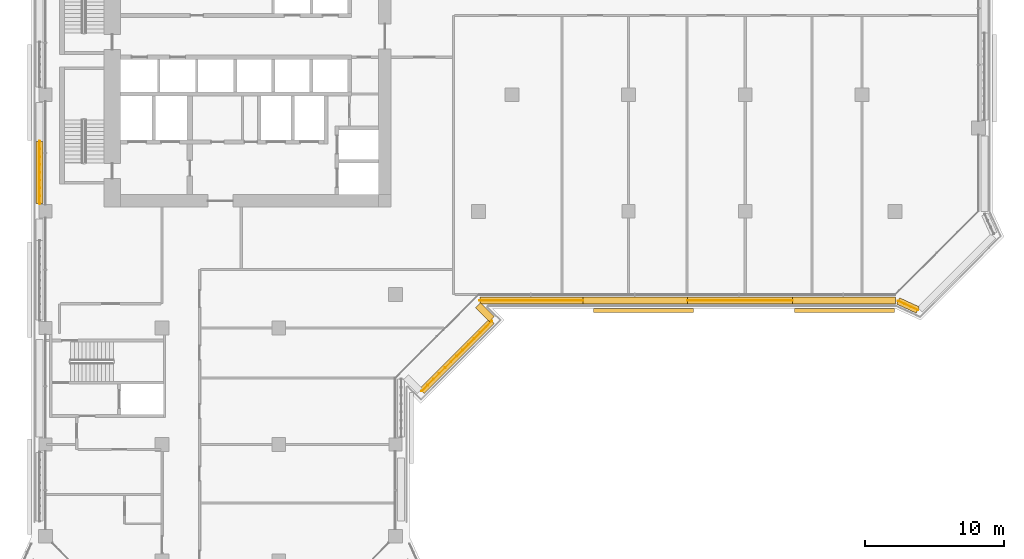
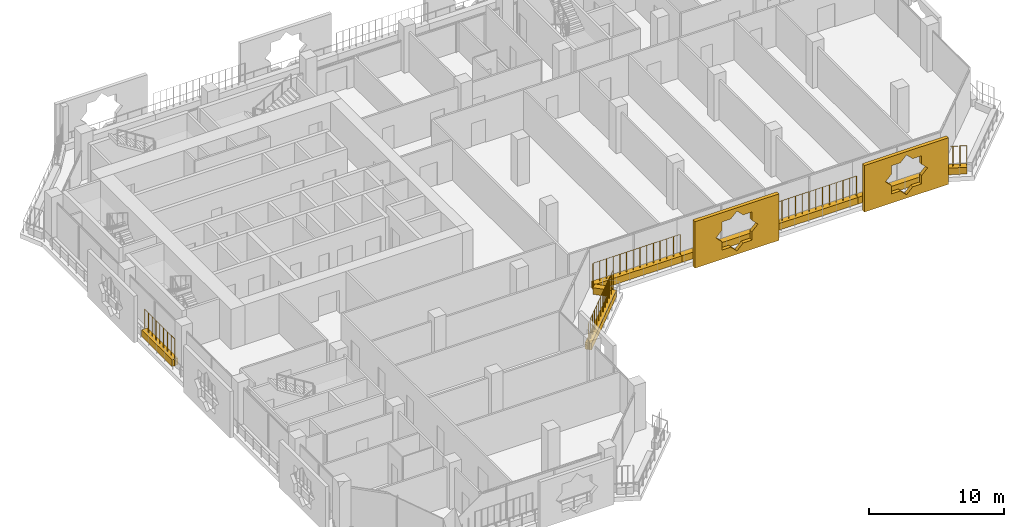
# One storey, part 17 of 22: 10 coverings, 5 railings.
"""IFC4 building model written with IfcOpenShell, lengths in metres."""

import ifcopenshell
import ifcopenshell.guid

model = None  # the IFC model being written
_history = None  # IfcOwnerHistory: only IFC2X3 demands one
_inside = {}  # id of a spatial element -> (the spatial element, [elements in it])
_under = {}  # id of a project, library or spatial element -> (it, [spatial elements below it])
_declared = {}  # id of a project -> (the project, [libraries it declares])
_typed = {}  # id of a type object -> (the type object, [elements of that type])
_made_of = {}  # id of a material, layer set ... -> (it, [elements and type objects made of it])


def new_model(schema):
    """Start an empty IFC model of exactly this schema.

    Asked for "IFC4X3", IfcOpenShell would pick the latest addendum, in which some entities
    have other attributes; the version numbers below select the first issue.
    IFC2X3 requires an IfcOwnerHistory on every rooted entity: one is made here for all.
    """
    global model, _history
    if schema == "IFC4X3":
        model = ifcopenshell.file(schema_version=(4, 3, 0, 0))
    else:
        model = ifcopenshell.file(schema=schema)
    _inside.clear()
    _under.clear()
    _declared.clear()
    _typed.clear()
    _made_of.clear()
    _history = None
    if model.schema == "IFC2X3":
        org = make("IfcOrganization", Name="unknown")
        user = make(
            "IfcPersonAndOrganization",
            ThePerson=make("IfcPerson", FamilyName="unknown"),
            TheOrganization=org,
        )
        app = make(
            "IfcApplication",
            ApplicationDeveloper=org,
            Version="unknown",
            ApplicationFullName="unknown",
            ApplicationIdentifier="unknown",
        )
        _history = make(
            "IfcOwnerHistory",
            OwningUser=user,
            OwningApplication=app,
            ChangeAction="ADDED",
            CreationDate=0,
        )
    return model


def make(cls, **values):
    """One entity of the class cls with the attributes given. An attribute that is None is left unset."""
    return model.create_entity(
        cls, **{name: value for name, value in values.items() if value is not None}
    )


def rooted(cls, **values):
    """An entity with a GlobalId (a new one), such as an element, a storey or a relation."""
    return make(cls, GlobalId=ifcopenshell.guid.new(), OwnerHistory=_history, **values)


def si_unit(unit_type, name, prefix=None):
    """IfcSIUnit, for example si_unit("LENGTHUNIT", "METRE", prefix="MILLI")."""
    return make("IfcSIUnit", UnitType=unit_type, Prefix=prefix, Name=name)


def assignment(units):
    """IfcUnitAssignment: the units of a project."""
    return None if units is None else make("IfcUnitAssignment", Units=units)


def point(xyz):
    """IfcCartesianPoint."""
    return None if xyz is None else make("IfcCartesianPoint", Coordinates=xyz)


def direction(xyz):
    """IfcDirection."""
    return None if xyz is None else make("IfcDirection", DirectionRatios=xyz)


def frame(location, z_axis=None, x_axis=None):
    """IfcAxis2Placement3D, a coordinate frame: its origin and axes. An axis left out is left unset."""
    return make(
        "IfcAxis2Placement3D",
        Location=point(location),
        Axis=direction(z_axis),
        RefDirection=direction(x_axis),
    )


def frame_2d(location, x_axis=None):
    """IfcAxis2Placement2D, a coordinate frame in the plane: its origin and x axis."""
    return make(
        "IfcAxis2Placement2D", Location=point(location), RefDirection=direction(x_axis)
    )


def origin():
    """The frame at (0, 0, 0) with its axes left unset."""
    return frame((0.0, 0.0, 0.0))


def origin_2d():
    """The frame at (0, 0) in the plane with its x axis left unset."""
    return frame_2d((0.0, 0.0))


def place(relative_to, where):
    """IfcLocalPlacement: puts the frame where relative to a parent placement (None: the world)."""
    return make(
        "IfcLocalPlacement", PlacementRelTo=relative_to, RelativePlacement=where
    )


def context(
    kind, dimensions, precision=None, world=None, true_north=None, identifier=None
):
    """IfcGeometricRepresentationContext, for example the 3D "Model" context."""
    return make(
        "IfcGeometricRepresentationContext",
        ContextIdentifier=identifier,
        ContextType=kind,
        CoordinateSpaceDimension=dimensions,
        Precision=precision,
        WorldCoordinateSystem=world,
        TrueNorth=true_north,
    )


def subcontext(parent, identifier, kind, view, scale=None):
    """IfcGeometricRepresentationSubContext, for example "Body" below "Model"."""
    return make(
        "IfcGeometricRepresentationSubContext",
        ContextIdentifier=identifier,
        ContextType=kind,
        ParentContext=parent,
        TargetScale=scale,
        TargetView=view,
    )


def project(units=None, contexts=None):
    """IfcProject with its units and contexts."""
    return rooted(
        "IfcProject",
        Name="project",
        RepresentationContexts=contexts,
        UnitsInContext=assignment(units),
    )


def spatial(cls, under=None, at=None, **own):
    """A site, building, storey or space (cls), placed at a placement, below another one or the project."""
    s = rooted(cls, ObjectPlacement=at, **own)
    if under is not None:
        _under.setdefault(under.id(), (under, []))[1].append(s)
    return s


def polyline(points):
    """IfcPolyline through the points."""
    return make("IfcPolyline", Points=[point(p) for p in points])


def profile(cls, at=None, kind="AREA", **sizes):
    """A parametric profile (cls). Its sizes go by their IFC names, for example OverallWidth=200.0."""
    return make(cls, ProfileType=kind, Position=at, **sizes)


def rectangle(**sizes):
    """IfcRectangleProfileDef."""
    return profile("IfcRectangleProfileDef", **sizes)


def circle(**sizes):
    """IfcCircleProfileDef."""
    return profile("IfcCircleProfileDef", **sizes)


def outline(outer, holes=None, kind="AREA"):
    """IfcArbitraryClosedProfileDef: a profile drawn as a closed curve; with holes, ...WithVoids."""
    if holes is None:
        return make("IfcArbitraryClosedProfileDef", ProfileType=kind, OuterCurve=outer)
    return make(
        "IfcArbitraryProfileDefWithVoids",
        ProfileType=kind,
        OuterCurve=outer,
        InnerCurves=holes,
    )


def extrude(swept, where, along, depth):
    """IfcExtrudedAreaSolid: the profile swept, set in the frame where, extruded along a direction by depth."""
    return make(
        "IfcExtrudedAreaSolid",
        SweptArea=swept,
        Position=where,
        ExtrudedDirection=direction(along),
        Depth=depth,
    )


def shape(context_of_items, identifier, shape_type, items):
    """IfcShapeRepresentation: the items that make up one representation, for example the "Body"."""
    return make(
        "IfcShapeRepresentation",
        ContextOfItems=context_of_items,
        RepresentationIdentifier=identifier,
        RepresentationType=shape_type,
        Items=items,
    )


def material(Name=None, Category=None):
    """IfcMaterial."""
    return make("IfcMaterial", Name=Name, Category=Category)


def material_profile(
    of_material, cross_section, Name=None, Category=None, Priority=None
):
    """IfcMaterialProfile: a cross section and its material."""
    return make(
        "IfcMaterialProfile",
        Name=Name,
        Material=of_material,
        Profile=cross_section,
        Priority=Priority,
        Category=Category,
    )


def profile_set(profiles, Name=None, composite=None):
    """IfcMaterialProfileSet."""
    return make(
        "IfcMaterialProfileSet",
        Name=Name,
        MaterialProfiles=profiles,
        CompositeProfile=composite,
    )


def made_of(thing, what):
    """Note that an element or type object is made of a material, layer set ...; save() writes the relation."""
    if what is not None:
        _made_of.setdefault(what.id(), (what, []))[1].append(thing)
    return thing


def type_object(cls, material=None, **own):
    """A type object (cls), such as IfcWallType, which elements share."""
    return made_of(rooted(cls, **own), material)


def element(
    cls,
    number,
    at=None,
    inside=None,
    cuts=None,
    type_object=None,
    material=None,
    context=None,
    identifier="Body",
    shape_type=None,
    held_by="IfcProductDefinitionShape",
    body=None,
    shapes=None,
    **own,
):
    """One element of the class cls, such as IfcWall. Its Tag is "e" and its number.

    at: its placement. inside: the storey or other place that contains it. cuts: it is an
    opening in that element (IfcRelVoidsElement). A single representation is given by context,
    identifier, shape_type and body (its items); several are given by shapes. held_by: the class
    of the entity that holds the representations. save() writes the other relations.
    """
    e = rooted(cls, Tag="e%d" % number, ObjectPlacement=at, **own)
    if body is not None:
        shapes = [shape(context, identifier, shape_type, body)]
    if shapes is not None:
        e.Representation = make(held_by, Representations=shapes)
    if inside is not None:
        _inside.setdefault(inside.id(), (inside, []))[1].append(e)
    if cuts is not None:
        rooted(
            "IfcRelVoidsElement", RelatingBuildingElement=cuts, RelatedOpeningElement=e
        )
    if type_object is not None:
        _typed.setdefault(type_object.id(), (type_object, []))[1].append(e)
    return made_of(e, material)


def aggregate(whole, parts):
    """IfcRelAggregates: a whole, such as a stair, and the parts it consists of."""
    return rooted("IfcRelAggregates", RelatingObject=whole, RelatedObjects=parts)


def save(model, path):
    """Write the relations noted so far, then the file.

    IfcRelAggregates (storeys below a building ...), IfcRelContainedInSpatialStructure (elements
    in a storey), IfcRelDefinesByType, IfcRelAssociatesMaterial and IfcRelDeclares: one each for
    every whole, place, type object, material and project.
    """
    for whole, parts in _under.values():
        aggregate(whole, parts)
    for where, things in _inside.values():
        rooted(
            "IfcRelContainedInSpatialStructure",
            RelatedElements=things,
            RelatingStructure=where,
        )
    for kind, things in _typed.values():
        rooted("IfcRelDefinesByType", RelatedObjects=things, RelatingType=kind)
    for what, things in _made_of.values():
        rooted("IfcRelAssociatesMaterial", RelatedObjects=things, RelatingMaterial=what)
    for by, libraries in _declared.values():
        rooted("IfcRelDeclares", RelatingContext=by, RelatedDefinitions=libraries)
    model.write(path)


model = new_model("IFC4")

# Units and contexts
model_context = context("Model", 3, precision=1e-05, world=origin(), true_north=direction((0.0, 1.0)))
body_context = subcontext(model_context, "Body", "Model", "MODEL_VIEW")
ifc_project = project(units=[si_unit("LENGTHUNIT", "METRE"), si_unit("AREAUNIT", "SQUARE_METRE"), si_unit("VOLUMEUNIT", "CUBIC_METRE"), si_unit("PLANEANGLEUNIT", "RADIAN"), si_unit("MASSUNIT", "GRAM", prefix="KILO")], contexts=[model_context])

# Site, building, storey
site_placement = place(None, origin())
site = spatial("IfcSite", under=ifc_project, at=site_placement, CompositionType="ELEMENT")
building_placement = place(site_placement, origin())
building = spatial("IfcBuilding", under=site, at=building_placement, Name="Kawkab Arch Medical Tower", CompositionType="ELEMENT")
storey_placement = place(building_placement, frame((0.0, 0.0, 179.39990234375)))
storey = spatial("IfcBuildingStorey", under=building, at=storey_placement, Name="L41", CompositionType="ELEMENT", Elevation=179.39990234375)

# Coverings
ifc_material_1 = material(Name="Bronze anodised aluminium mashrabiya panel, eight-point star pattern", Category="aluminium")
ifc_material_profile_1 = material_profile(ifc_material_1, outline(polyline([(-3.60009765625, -2.10009765625), (3.60009765625, -2.10009765625), (3.60009765625, 2.10009765625), (-3.60009765625, 2.10009765625), (-3.60009765625, -2.10009765625)]), holes=[polyline([(1.800048828125, 0.0), (1.272705078125, 0.527099609375), (1.272705078125, 1.272705078125), (0.527099609375, 1.272705078125), (0.0, 1.800048828125), (-0.527099609375, 1.272705078125), (-1.272705078125, 1.272705078125), (-1.272705078125, 0.527099609375), (-1.800048828125, 0.0), (-1.272705078125, -0.527099609375), (-1.272705078125, -1.272705078125), (-0.527099609375, -1.272705078125), (0.0, -1.800048828125), (0.527099609375, -1.272705078125), (1.272705078125, -1.272705078125), (1.272705078125, -0.527099609375), (1.800048828125, 0.0)])]), Name="Mashrabiya panel 7200x4200")
ifc_profile_set_1 = profile_set([ifc_material_profile_1], Name="Bronze anodised aluminium mashrabiya panel, eight-point star pattern")
covering_type_1 = type_object("IfcCoveringType", Name="Mashrabiya panel 7200 x 4200", PredefinedType="USERDEFINED", material=ifc_profile_set_1)
for number, where, z_axis, x_axis, name in (
    (1, (57.5546875, -32.199951171875, 1.7001953125), (0.0, -1.0, 0.0), (1.0, 0.0, 0.0), "Mashrabiya panel L41.LOG-01-01.10"),
    (2, (43.06494140625, -32.199951171875, 1.7001953125), (0.0, -1.0, 0.0), (1.0, 0.0, 0.0), "Mashrabiya panel L41.LOG-01-01.11"),
):
    element("IfcCovering", number, at=place(storey_placement, frame(where, z_axis=z_axis, x_axis=x_axis)), inside=storey, type_object=covering_type_1, Name=name, ObjectType="SCREEN", PredefinedType="USERDEFINED", context=body_context, shape_type="SweptSolid", body=[
        extrude(outline(polyline([(-3.60009765625, -2.10009765625), (3.60009765625, -2.10009765625), (3.60009765625, 2.10009765625), (-3.60009765625, 2.10009765625), (-3.60009765625, -2.10009765625)]), holes=[polyline([(1.800048828125, 0.0), (1.272705078125, 0.527099609375), (1.272705078125, 1.272705078125), (0.527099609375, 1.272705078125), (0.0, 1.800048828125), (-0.527099609375, 1.272705078125), (-1.272705078125, 1.272705078125), (-1.272705078125, 0.527099609375), (-1.800048828125, 0.0), (-1.272705078125, -0.527099609375), (-1.272705078125, -1.272705078125), (-0.527099609375, -1.272705078125), (0.0, -1.800048828125), (0.527099609375, -1.272705078125), (1.272705078125, -1.272705078125), (1.272705078125, -0.527099609375), (1.800048828125, 0.0)])]), origin(), (0.0, 0.0, 1.0), 0.300048828125),
    ])
ifc_material_2 = material(Name="Planting soil in a precast trough", Category="concrete")
ifc_material_profile_2 = material_profile(ifc_material_2, rectangle(XDim=0.5, YDim=0.60009765625, at=origin_2d()), Name="Trough 500x600")
ifc_profile_set_2 = profile_set([ifc_material_profile_2], Name="Planting soil in a precast trough")
covering_type_2 = type_object("IfcCoveringType", Name="Planter trough 500 x 600", PredefinedType="USERDEFINED", material=ifc_profile_set_2)
covering_1_placement = place(storey_placement, frame((-0.419921875, -24.64501953125, 0.300048828125), z_axis=(0.0, 1.0, 0.0), x_axis=(-1.0, 0.0, 0.0)))
element("IfcCovering", 3, at=covering_1_placement, inside=storey, type_object=covering_type_2, Name="Planter L41.LOG-01-01.11", ObjectType="PLANTER", PredefinedType="USERDEFINED", context=body_context, shape_type="SweptSolid", body=[
    extrude(rectangle(XDim=0.5, YDim=0.60009765625, at=origin_2d()), origin(), (0.0, 0.0, 1.0), 4.487060546875),
])
covering_2_placement = place(storey_placement, frame((62.821044921875, -32.302001953125, 0.300048828125), z_axis=(-0.909655525109, 0.415363486165, 0.0), x_axis=(-0.415363486165, -0.909655525109, 0.0)))
element("IfcCovering", 4, at=covering_2_placement, inside=storey, type_object=covering_type_2, Name="Planter L41.LOG-01-01.33", ObjectType="PLANTER", PredefinedType="USERDEFINED", context=body_context, shape_type="SweptSolid", body=[
    extrude(rectangle(XDim=0.5, YDim=0.60009765625, at=origin_2d()), origin(), (0.0, 0.0, 1.0), 1.54345703125),
])
covering_3_placement = place(storey_placement, frame((61.22607421875, -31.6201171875, 0.300048828125), z_axis=(-1.0, 0.0, 0.0), x_axis=(0.0, -1.0, 0.0)))
element("IfcCovering", 5, at=covering_3_placement, inside=storey, type_object=covering_type_2, Name="Planter L41.LOG-01-01.34", ObjectType="PLANTER", PredefinedType="USERDEFINED", context=body_context, shape_type="SweptSolid", body=[
    extrude(rectangle(XDim=0.5, YDim=0.60009765625, at=origin_2d()), origin(), (0.0, 0.0, 1.0), 7.43505859375),
])
covering_4_placement = place(storey_placement, frame((53.791015625, -31.6201171875, 0.300048828125), z_axis=(-1.0, 0.0, 0.0), x_axis=(0.0, -1.0, 0.0)))
element("IfcCovering", 6, at=covering_4_placement, inside=storey, type_object=covering_type_2, Name="Planter L41.LOG-01-01.35", ObjectType="PLANTER", PredefinedType="USERDEFINED", context=body_context, shape_type="SweptSolid", body=[
    extrude(rectangle(XDim=0.5, YDim=0.60009765625, at=origin_2d()), origin(), (0.0, 0.0, 1.0), 7.5361328125),
])
covering_5_placement = place(storey_placement, frame((46.2548828125, -31.6201171875, 0.300048828125), z_axis=(-1.0, 0.0, 0.0), x_axis=(0.0, -1.0, 0.0)))
element("IfcCovering", 7, at=covering_5_placement, inside=storey, type_object=covering_type_2, Name="Planter L41.LOG-01-01.36", ObjectType="PLANTER", PredefinedType="USERDEFINED", context=body_context, shape_type="SweptSolid", body=[
    extrude(rectangle(XDim=0.5, YDim=0.60009765625, at=origin_2d()), origin(), (0.0, 0.0, 1.0), 7.534912109375),
])
covering_6_placement = place(storey_placement, frame((38.719970703125, -31.6201171875, 0.300048828125), z_axis=(-1.0, 0.0, 0.0), x_axis=(0.0, -1.0, 0.0)))
element("IfcCovering", 8, at=covering_6_placement, inside=storey, type_object=covering_type_2, Name="Planter L41.LOG-01-01.37", ObjectType="PLANTER", PredefinedType="USERDEFINED", context=body_context, shape_type="SweptSolid", body=[
    extrude(rectangle(XDim=0.5, YDim=0.60009765625, at=origin_2d()), origin(), (0.0, 0.0, 1.0), 7.43505859375),
])
covering_7_placement = place(storey_placement, frame((31.14306640625, -31.962890625, 0.300048828125), z_axis=(0.707020805532, -0.707192746389, 0.0), x_axis=(0.707192746389, 0.707020805532, 0.0)))
element("IfcCovering", 9, at=covering_7_placement, inside=storey, type_object=covering_type_2, Name="Planter L41.LOG-01-01.38", ObjectType="PLANTER", PredefinedType="USERDEFINED", context=body_context, shape_type="SweptSolid", body=[
    extrude(rectangle(XDim=0.5, YDim=0.60009765625, at=origin_2d()), origin(), (0.0, 0.0, 1.0), 1.419921875),
])
covering_8_placement = place(storey_placement, frame((32.14697265625, -33.10888671875, 0.300048828125), z_axis=(-0.707106781187, -0.707106781187, 0.0), x_axis=(0.707106781187, -0.707106781187, 0.0)))
element("IfcCovering", 10, at=covering_8_placement, inside=storey, type_object=covering_type_2, Name="Planter L41.LOG-01-01.39", ObjectType="PLANTER", PredefinedType="USERDEFINED", context=body_context, shape_type="SweptSolid", body=[
    extrude(rectangle(XDim=0.5, YDim=0.60009765625, at=origin_2d()), origin(), (0.0, 0.0, 1.0), 7.125),
])

# Railings
ifc_material_3 = material(Name="Bronze anodised aluminium trellis for climbing plants", Category="aluminium")
railing_type = type_object("IfcRailingType", Name="Planting trellis 2400", PredefinedType="USERDEFINED", material=ifc_material_3)
railing_1_placement = place(storey_placement, frame((-0.419921875, -24.64501953125, 0.0)))
element("IfcRailing", 11, at=railing_1_placement, inside=storey, type_object=railing_type, Name="Planting trellis L41.LOG-01-01.11", ObjectType="TRELLIS", PredefinedType="USERDEFINED", context=body_context, shape_type="SweptSolid", body=[
    extrude(circle(Radius=0.01513671875, at=origin_2d()), frame((0.0, 0.0, 2.384765625), z_axis=(0.0, 1.0, 0.0), x_axis=(-1.0, 0.0, 0.0)), (0.0, 0.0, 1.0), 4.487060546875),
    extrude(circle(Radius=0.030029296875, at=origin_2d()), origin(), (0.0, 0.0, 1.0), 2.369873046875),
    extrude(circle(Radius=0.030029296875, at=origin_2d()), frame((0.0, 0.560791015625, 0.0)), (0.0, 0.0, 1.0), 2.369873046875),
    extrude(circle(Radius=0.030029296875, at=origin_2d()), frame((0.0, 1.121826171875, 0.0)), (0.0, 0.0, 1.0), 2.369873046875),
    extrude(circle(Radius=0.030029296875, at=origin_2d()), frame((0.0, 1.6826171875, 0.0)), (0.0, 0.0, 1.0), 2.369873046875),
    extrude(circle(Radius=0.030029296875, at=origin_2d()), frame((0.0, 2.24365234375, 0.0)), (0.0, 0.0, 1.0), 2.369873046875),
    extrude(circle(Radius=0.030029296875, at=origin_2d()), frame((0.0, 2.804443359375, 0.0)), (0.0, 0.0, 1.0), 2.369873046875),
    extrude(circle(Radius=0.030029296875, at=origin_2d()), frame((0.0, 3.365234375, 0.0)), (0.0, 0.0, 1.0), 2.369873046875),
    extrude(circle(Radius=0.030029296875, at=origin_2d()), frame((0.0, 3.92626953125, 0.0)), (0.0, 0.0, 1.0), 2.369873046875),
    extrude(circle(Radius=0.030029296875, at=origin_2d()), frame((0.0, 4.487060546875, 0.0)), (0.0, 0.0, 1.0), 2.369873046875),
])
railing_2_placement = place(storey_placement, frame((62.821044921875, -32.302001953125, 0.0)))
element("IfcRailing", 12, at=railing_2_placement, inside=storey, type_object=railing_type, Name="Planting trellis L41.LOG-01-01.33", ObjectType="TRELLIS", PredefinedType="USERDEFINED", context=body_context, shape_type="SweptSolid", body=[
    extrude(circle(Radius=0.01513671875, at=origin_2d()), frame((0.0, 0.0, 2.384765625), z_axis=(-0.909655525109, 0.415363486165, 0.0), x_axis=(-0.415363486165, -0.909655525109, 0.0)), (0.0, 0.0, 1.0), 1.54345703125),
    extrude(circle(Radius=0.030029296875, at=origin_2d()), origin(), (0.0, 0.0, 1.0), 2.369873046875),
    extrude(circle(Radius=0.030029296875, at=origin_2d()), frame((-0.468017578125, 0.213623046875, 0.0)), (0.0, 0.0, 1.0), 2.369873046875),
    extrude(circle(Radius=0.030029296875, at=origin_2d()), frame((-0.93603515625, 0.427490234375, 0.0)), (0.0, 0.0, 1.0), 2.369873046875),
    extrude(circle(Radius=0.030029296875, at=origin_2d()), frame((-1.404052734375, 0.64111328125, 0.0)), (0.0, 0.0, 1.0), 2.369873046875),
])
railing_3_placement = place(storey_placement, frame((53.791015625, -31.6201171875, 0.0)))
element("IfcRailing", 13, at=railing_3_placement, inside=storey, type_object=railing_type, Name="Planting trellis L41.LOG-01-01.35", ObjectType="TRELLIS", PredefinedType="USERDEFINED", context=body_context, shape_type="SweptSolid", body=[
    extrude(circle(Radius=0.01513671875, at=origin_2d()), frame((0.0, 0.0, 2.384765625), z_axis=(-1.0, 0.0, 0.0), x_axis=(0.0, -1.0, 0.0)), (0.0, 0.0, 1.0), 7.5361328125),
    extrude(circle(Radius=0.030029296875, at=origin_2d()), origin(), (0.0, 0.0, 1.0), 2.369873046875),
    extrude(circle(Radius=0.030029296875, at=origin_2d()), frame((-0.57958984375, 0.0, 0.0)), (0.0, 0.0, 1.0), 2.369873046875),
    extrude(circle(Radius=0.030029296875, at=origin_2d()), frame((-1.159423828125, 0.0, 0.0)), (0.0, 0.0, 1.0), 2.369873046875),
    extrude(circle(Radius=0.030029296875, at=origin_2d()), frame((-1.739013671875, 0.0, 0.0)), (0.0, 0.0, 1.0), 2.369873046875),
    extrude(circle(Radius=0.030029296875, at=origin_2d()), frame((-2.31884765625, 0.0, 0.0)), (0.0, 0.0, 1.0), 2.369873046875),
    extrude(circle(Radius=0.030029296875, at=origin_2d()), frame((-2.8984375, 0.0, 0.0)), (0.0, 0.0, 1.0), 2.369873046875),
    extrude(circle(Radius=0.030029296875, at=origin_2d()), frame((-3.478271484375, 0.0, 0.0)), (0.0, 0.0, 1.0), 2.369873046875),
    extrude(circle(Radius=0.030029296875, at=origin_2d()), frame((-4.057861328125, 0.0, 0.0)), (0.0, 0.0, 1.0), 2.369873046875),
    extrude(circle(Radius=0.030029296875, at=origin_2d()), frame((-4.6376953125, 0.0, 0.0)), (0.0, 0.0, 1.0), 2.369873046875),
    extrude(circle(Radius=0.030029296875, at=origin_2d()), frame((-5.21728515625, 0.0, 0.0)), (0.0, 0.0, 1.0), 2.369873046875),
    extrude(circle(Radius=0.030029296875, at=origin_2d()), frame((-5.797119140625, 0.0, 0.0)), (0.0, 0.0, 1.0), 2.369873046875),
    extrude(circle(Radius=0.030029296875, at=origin_2d()), frame((-6.376708984375, 0.0, 0.0)), (0.0, 0.0, 1.0), 2.369873046875),
    extrude(circle(Radius=0.030029296875, at=origin_2d()), frame((-6.95654296875, 0.0, 0.0)), (0.0, 0.0, 1.0), 2.369873046875),
    extrude(circle(Radius=0.030029296875, at=origin_2d()), frame((-7.5361328125, 0.0, 0.0)), (0.0, 0.0, 1.0), 2.369873046875),
])
railing_4_placement = place(storey_placement, frame((38.719970703125, -31.6201171875, 0.0)))
element("IfcRailing", 14, at=railing_4_placement, inside=storey, type_object=railing_type, Name="Planting trellis L41.LOG-01-01.37", ObjectType="TRELLIS", PredefinedType="USERDEFINED", context=body_context, shape_type="SweptSolid", body=[
    extrude(circle(Radius=0.01513671875, at=origin_2d()), frame((0.0, 0.0, 2.384765625), z_axis=(-1.0, 0.0, 0.0), x_axis=(0.0, -1.0, 0.0)), (0.0, 0.0, 1.0), 7.43505859375),
    extrude(circle(Radius=0.030029296875, at=origin_2d()), origin(), (0.0, 0.0, 1.0), 2.369873046875),
    extrude(circle(Radius=0.030029296875, at=origin_2d()), frame((-0.572021484375, 0.0, 0.0)), (0.0, 0.0, 1.0), 2.369873046875),
    extrude(circle(Radius=0.030029296875, at=origin_2d()), frame((-1.143798828125, 0.0, 0.0)), (0.0, 0.0, 1.0), 2.369873046875),
    extrude(circle(Radius=0.030029296875, at=origin_2d()), frame((-1.7158203125, 0.0, 0.0)), (0.0, 0.0, 1.0), 2.369873046875),
    extrude(circle(Radius=0.030029296875, at=origin_2d()), frame((-2.28759765625, 0.0, 0.0)), (0.0, 0.0, 1.0), 2.369873046875),
    extrude(circle(Radius=0.030029296875, at=origin_2d()), frame((-2.859619140625, 0.0, 0.0)), (0.0, 0.0, 1.0), 2.369873046875),
    extrude(circle(Radius=0.030029296875, at=origin_2d()), frame((-3.431640625, 0.0, 0.0)), (0.0, 0.0, 1.0), 2.369873046875),
    extrude(circle(Radius=0.030029296875, at=origin_2d()), frame((-4.00341796875, 0.0, 0.0)), (0.0, 0.0, 1.0), 2.369873046875),
    extrude(circle(Radius=0.030029296875, at=origin_2d()), frame((-4.575439453125, 0.0, 0.0)), (0.0, 0.0, 1.0), 2.369873046875),
    extrude(circle(Radius=0.030029296875, at=origin_2d()), frame((-5.1474609375, 0.0, 0.0)), (0.0, 0.0, 1.0), 2.369873046875),
    extrude(circle(Radius=0.030029296875, at=origin_2d()), frame((-5.71923828125, 0.0, 0.0)), (0.0, 0.0, 1.0), 2.369873046875),
    extrude(circle(Radius=0.030029296875, at=origin_2d()), frame((-6.291259765625, 0.0, 0.0)), (0.0, 0.0, 1.0), 2.369873046875),
    extrude(circle(Radius=0.030029296875, at=origin_2d()), frame((-6.863037109375, 0.0, 0.0)), (0.0, 0.0, 1.0), 2.369873046875),
    extrude(circle(Radius=0.030029296875, at=origin_2d()), frame((-7.43505859375, 0.0, 0.0)), (0.0, 0.0, 1.0), 2.369873046875),
])
railing_5_placement = place(storey_placement, frame((32.14697265625, -33.10888671875, 0.0)))
element("IfcRailing", 15, at=railing_5_placement, inside=storey, type_object=railing_type, Name="Planting trellis L41.LOG-01-01.39", ObjectType="TRELLIS", PredefinedType="USERDEFINED", context=body_context, shape_type="SweptSolid", body=[
    extrude(circle(Radius=0.01513671875, at=origin_2d()), frame((0.0, 0.0, 2.384765625), z_axis=(-0.707106781187, -0.707106781187, 0.0), x_axis=(0.707106781187, -0.707106781187, 0.0)), (0.0, 0.0, 1.0), 7.125),
    extrude(circle(Radius=0.030029296875, at=origin_2d()), origin(), (0.0, 0.0, 1.0), 2.369873046875),
    extrude(circle(Radius=0.030029296875, at=origin_2d()), frame((-0.419921875, -0.419921875, 0.0)), (0.0, 0.0, 1.0), 2.369873046875),
    extrude(circle(Radius=0.030029296875, at=origin_2d()), frame((-0.839599609375, -0.839599609375, 0.0)), (0.0, 0.0, 1.0), 2.369873046875),
    extrude(circle(Radius=0.030029296875, at=origin_2d()), frame((-1.259521484375, -1.259521484375, 0.0)), (0.0, 0.0, 1.0), 2.369873046875),
    extrude(circle(Radius=0.030029296875, at=origin_2d()), frame((-1.679443359375, -1.679443359375, 0.0)), (0.0, 0.0, 1.0), 2.369873046875),
    extrude(circle(Radius=0.030029296875, at=origin_2d()), frame((-2.09912109375, -2.09912109375, 0.0)), (0.0, 0.0, 1.0), 2.369873046875),
    extrude(circle(Radius=0.030029296875, at=origin_2d()), frame((-2.51904296875, -2.51904296875, 0.0)), (0.0, 0.0, 1.0), 2.369873046875),
    extrude(circle(Radius=0.030029296875, at=origin_2d()), frame((-2.93896484375, -2.93896484375, 0.0)), (0.0, 0.0, 1.0), 2.369873046875),
    extrude(circle(Radius=0.030029296875, at=origin_2d()), frame((-3.358642578125, -3.358642578125, 0.0)), (0.0, 0.0, 1.0), 2.369873046875),
    extrude(circle(Radius=0.030029296875, at=origin_2d()), frame((-3.778564453125, -3.778564453125, 0.0)), (0.0, 0.0, 1.0), 2.369873046875),
    extrude(circle(Radius=0.030029296875, at=origin_2d()), frame((-4.198486328125, -4.198486328125, 0.0)), (0.0, 0.0, 1.0), 2.369873046875),
    extrude(circle(Radius=0.030029296875, at=origin_2d()), frame((-4.6181640625, -4.6181640625, 0.0)), (0.0, 0.0, 1.0), 2.369873046875),
    extrude(circle(Radius=0.030029296875, at=origin_2d()), frame((-5.0380859375, -5.0380859375, 0.0)), (0.0, 0.0, 1.0), 2.369873046875),
])

save(model, "model.ifc")
